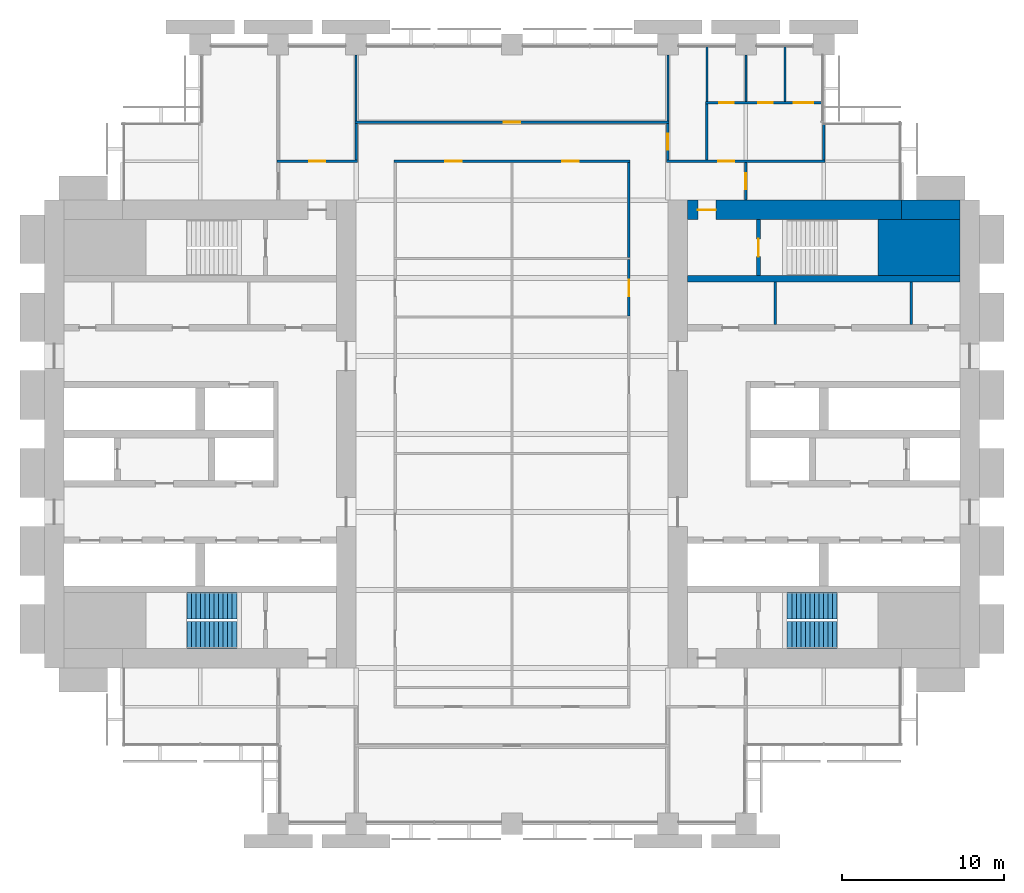
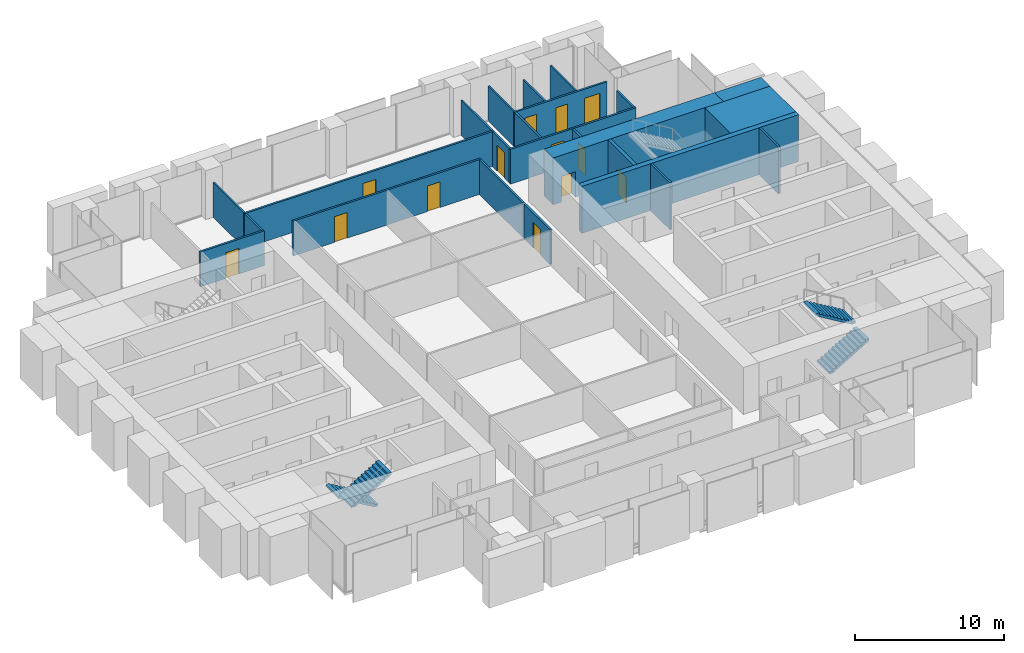
# One storey, part 12 of 14: 24 walls, 13 doors, 4 stair flights, 13 openings, 2 elements without a shape of their own.
"""IFC4 building model written with IfcOpenShell, lengths in metres."""

from ifc_helpers import new_model, si_unit, direction, frame, frame_2d, origin, place, context, subcontext, project, spatial, polyline, rectangle, outline, extrude, material, layer, layer_set, type_object, element, fill, aggregate, save


model = new_model("IFC4")

# Units and contexts
model_context = context("Model", 3, precision=1e-05, world=origin(), true_north=direction((0.0, 1.0)))
body_context = subcontext(model_context, "Body", "Model", "MODEL_VIEW")
ifc_project = project(units=[si_unit("LENGTHUNIT", "METRE"), si_unit("AREAUNIT", "SQUARE_METRE"), si_unit("VOLUMEUNIT", "CUBIC_METRE"), si_unit("PLANEANGLEUNIT", "RADIAN"), si_unit("MASSUNIT", "GRAM", prefix="KILO")], contexts=[model_context])

# Site, building, storey
site_placement = place(None, origin())
site = spatial("IfcSite", under=ifc_project, at=site_placement, CompositionType="ELEMENT")
building_placement = place(site_placement, origin())
building = spatial("IfcBuilding", under=site, at=building_placement, Name="Baori Bourse Tower", CompositionType="ELEMENT")
storey_placement = place(building_placement, frame((0.0, 0.0, 79.0)))
storey = spatial("IfcBuildingStorey", under=building, at=storey_placement, Name="L17", CompositionType="ELEMENT", Elevation=79.0)

# Walls
ifc_material_1 = material(Name="Concrete f'c 70 MPa", Category="concrete")
wall_type_1 = type_object("IfcWallType", Name="Core corner block f'c 70", PredefinedType="SHEAR", material=ifc_material_1)
wall_1_placement = place(storey_placement, frame((51.35009765625, 35.47509765625, 0.0), z_axis=(0.0, 0.0, 1.0), x_axis=(1.0, 0.0, 0.0)))
element("IfcWall", 1, at=wall_1_placement, inside=storey, type_object=wall_type_1, Name="Core wall E21", PredefinedType="SHEAR", context=body_context, shape_type="SweptSolid", body=[
    extrude(rectangle(XDim=5.0498046875, YDim=3.449951171875, at=frame_2d((2.52490234375, 0.0))), origin(), (0.0, 0.0, 1.0), 3.840087890625),
])
ifc_material_2 = material(Name="Blockwork partition", Category="masonry")
ifc_layer_1 = layer(ifc_material_2, 0.14990234375)
ifc_layer_set_1 = layer_set([ifc_layer_1], Name="Core partition 150")
wall_type_2 = type_object("IfcWallType", Name="Core partition 150", PredefinedType="PARTITIONING", material=ifc_layer_set_1)
for number, where, z_axis, x_axis, name in (
    (2, (53.39990234375, 30.75, 0.0), (0.0, 0.0, 1.0), (0.0, 1.0, 0.0), "Partition wall E18"),
    (3, (45.0, 30.75, 0.0), (0.0, 0.0, 1.0), (0.0, 1.0, 0.0), "Partition wall E19"),
):
    element("IfcWall", number, at=place(storey_placement, frame(where, z_axis=z_axis, x_axis=x_axis)), inside=storey, type_object=wall_type_2, Name=name, PredefinedType="PARTITIONING", context=body_context, shape_type="SweptSolid", body=[
        extrude(rectangle(XDim=2.60009765625, YDim=0.14990234375, at=frame_2d((1.300048828125, 0.0))), origin(), (0.0, 0.0, 1.0), 3.840087890625),
    ])
ifc_material_3 = material(Name="Concrete f'c 70 MPa", Category="concrete")
ifc_layer_2 = layer(ifc_material_3, 1.199951171875)
ifc_layer_set_2 = layer_set([ifc_layer_2], Name="Core wall 1200 f'c 70")
wall_type_3 = type_object("IfcWallType", Name="Core wall 1200 f'c 70", PredefinedType="SHEAR", material=ifc_layer_set_2)
wall_2_placement = place(storey_placement, frame((52.800048828125, 37.800048828125, 0.0), z_axis=(0.0, 0.0, 1.0), x_axis=(1.0, 0.0, 0.0)))
element("IfcWall", 4, at=wall_2_placement, inside=storey, type_object=wall_type_3, Name="Core wall E23", PredefinedType="SHEAR", context=body_context, shape_type="SweptSolid", body=[
    extrude(rectangle(XDim=3.599853515625, YDim=1.199951171875, at=frame_2d((1.7998046875, 0.0))), origin(), (0.0, 0.0, 1.0), 3.840087890625),
])

# Wall, opening, door
wall_3_placement = place(storey_placement, frame((39.60009765625, 37.800048828125, 0.0), z_axis=(0.0, 0.0, 1.0), x_axis=(1.0, 0.0, 0.0)))
wall_3 = element("IfcWall", 5, at=wall_3_placement, inside=storey, type_object=wall_type_3, Name="Core wall E24", PredefinedType="SHEAR", context=body_context, shape_type="SweptSolid", body=[
    extrude(rectangle(XDim=13.199951171875, YDim=1.199951171875, at=frame_2d((6.60009765625, 0.0))), origin(), (0.0, 0.0, 1.0), 3.840087890625),
])
opening_1_placement = place(wall_3_placement, frame((0.64990234375, 0.0, 0.0)))
opening_1 = element("IfcOpeningElement", 6, at=opening_1_placement, cuts=wall_3, Name="Opening L17-D204", PredefinedType="OPENING", context=body_context, shape_type="SweptSolid", body=[
    extrude(rectangle(XDim=1.10009765625, YDim=2.10009765625, at=frame_2d((0.550048828125, 1.050048828125))), frame((0.0, 0.60986328125, 0.0), z_axis=(0.0, -1.0, 0.0), x_axis=(1.0, 0.0, 0.0)), (0.0, 0.0, 1.0), 1.219970703125),
])
ifc_material_4 = material(Name="Painted steel door", Category="steel")
door_type_1 = type_object("IfcDoorType", Name="Stair door 1100", OperationType="SINGLE_SWING_LEFT", PredefinedType="DOOR", material=ifc_material_4)
door_1_placement = place(opening_1_placement, origin())
door_1 = element("IfcDoor", 7, at=door_1_placement, inside=storey, type_object=door_type_1, Name="Stair vestibule door B E L17", OperationType="SINGLE_SWING_LEFT", OverallHeight=2.10009765625, OverallWidth=1.10009765625, PredefinedType="DOOR", context=body_context, shape_type="SweptSolid", body=[
    extrude(rectangle(XDim=1.10009765625, YDim=2.10009765625, at=frame_2d((0.550048828125, 1.050048828125))), frame((0.0, 0.02490234375, 0.0), z_axis=(0.0, -1.0, 0.0), x_axis=(1.0, 0.0, 0.0)), (0.0, 0.0, 1.0), 0.050048828125),
])
fill(opening_1, door_1)

ifc_material_5 = material(Name="Gypsum board partition")
ifc_layer_3 = layer(ifc_material_5, 0.14990234375)
ifc_layer_set_3 = layer_set([ifc_layer_3], Name="Corridor partition 150")
wall_type_4 = type_object("IfcWallType", Name="Corridor partition 150", PredefinedType="PARTITIONING", material=ifc_layer_set_3)
wall_4_placement = place(storey_placement, frame((14.324951171875, 40.800048828125, 0.0), z_axis=(0.0, 0.0, 1.0), x_axis=(1.0, 0.0, 0.0)))
wall_4 = element("IfcWall", 8, at=wall_4_placement, inside=storey, type_object=wall_type_4, Name="Partition", PredefinedType="PARTITIONING", context=body_context, shape_type="SweptSolid", body=[
    extrude(rectangle(XDim=4.949951171875, YDim=0.14990234375, at=frame_2d((2.47509765625, 0.0))), origin(), (0.0, 0.0, 1.0), 2.849365234375),
])
opening_2_placement = place(wall_4_placement, frame((1.97509765625, 0.0, 0.0)))
opening_2 = element("IfcOpeningElement", 9, at=opening_2_placement, cuts=wall_4, Name="Opening L17-D06", PredefinedType="OPENING", context=body_context, shape_type="SweptSolid", body=[
    extrude(rectangle(XDim=1.0, YDim=2.10009765625, at=frame_2d((0.5, 1.050048828125))), frame((0.0, 0.0849609375, 0.0), z_axis=(0.0, -1.0, 0.0), x_axis=(1.0, 0.0, 0.0)), (0.0, 0.0, 1.0), 0.169921875),
])
ifc_material_6 = material(Name="Timber door leaf", Category="wood")
door_type_2 = type_object("IfcDoorType", Name="Door 1000 x 2100", OperationType="SINGLE_SWING_LEFT", PredefinedType="DOOR", material=ifc_material_6)
door_2_placement = place(opening_2_placement, origin())
door_2 = element("IfcDoor", 10, at=door_2_placement, inside=storey, type_object=door_type_2, Name="Door", OperationType="SINGLE_SWING_LEFT", OverallHeight=2.10009765625, OverallWidth=1.0, PredefinedType="DOOR", context=body_context, shape_type="SweptSolid", body=[
    extrude(rectangle(XDim=1.0, YDim=2.10009765625, at=frame_2d((0.5, 1.050048828125))), frame((0.0, 0.02490234375, 0.0), z_axis=(0.0, -1.0, 0.0), x_axis=(1.0, 0.0, 0.0)), (0.0, 0.0, 1.0), 0.050048828125),
])
fill(opening_2, door_2)

# Wall, openings, doors
wall_5_placement = place(storey_placement, frame((21.52490234375, 40.800048828125, 0.0), z_axis=(0.0, 0.0, 1.0), x_axis=(1.0, 0.0, 0.0)))
wall_5 = element("IfcWall", 11, at=wall_5_placement, inside=storey, type_object=wall_type_4, Name="Partition", PredefinedType="PARTITIONING", context=body_context, shape_type="SweptSolid", body=[
    extrude(rectangle(XDim=14.550048828125, YDim=0.14990234375, at=frame_2d((7.27490234375, 0.0))), origin(), (0.0, 0.0, 1.0), 2.849365234375),
])
opening_3_placement = place(wall_5_placement, frame((3.175048828125, 0.0, 0.0)))
opening_3 = element("IfcOpeningElement", 12, at=opening_3_placement, cuts=wall_5, Name="Opening L17-D07", PredefinedType="OPENING", context=body_context, shape_type="SweptSolid", body=[
    extrude(rectangle(XDim=1.0, YDim=2.10009765625, at=frame_2d((0.5, 1.050048828125))), frame((0.0, 0.0849609375, 0.0), z_axis=(0.0, -1.0, 0.0), x_axis=(1.0, 0.0, 0.0)), (0.0, 0.0, 1.0), 0.169921875),
])
opening_4_placement = place(wall_5_placement, frame((10.375, 0.0, 0.0)))
opening_4 = element("IfcOpeningElement", 13, at=opening_4_placement, cuts=wall_5, Name="Opening L17-D08", PredefinedType="OPENING", context=body_context, shape_type="SweptSolid", body=[
    extrude(rectangle(XDim=1.0, YDim=2.10009765625, at=frame_2d((0.5, 1.050048828125))), frame((0.0, 0.0849609375, 0.0), z_axis=(0.0, -1.0, 0.0), x_axis=(1.0, 0.0, 0.0)), (0.0, 0.0, 1.0), 0.169921875),
])
door_3_placement = place(opening_3_placement, origin())
door_3 = element("IfcDoor", 14, at=door_3_placement, inside=storey, type_object=door_type_2, Name="Door", OperationType="SINGLE_SWING_LEFT", OverallHeight=2.10009765625, OverallWidth=1.0, PredefinedType="DOOR", context=body_context, shape_type="SweptSolid", body=[
    extrude(rectangle(XDim=1.0, YDim=2.10009765625, at=frame_2d((0.5, 1.050048828125))), frame((0.0, 0.02490234375, 0.0), z_axis=(0.0, -1.0, 0.0), x_axis=(1.0, 0.0, 0.0)), (0.0, 0.0, 1.0), 0.050048828125),
])
fill(opening_3, door_3)
door_4_placement = place(opening_4_placement, origin())
door_4 = element("IfcDoor", 15, at=door_4_placement, inside=storey, type_object=door_type_2, Name="Door", OperationType="SINGLE_SWING_RIGHT", OverallHeight=2.10009765625, OverallWidth=1.0, PredefinedType="DOOR", context=body_context, shape_type="SweptSolid", body=[
    extrude(rectangle(XDim=1.0, YDim=2.10009765625, at=frame_2d((0.5, 1.050048828125))), frame((0.0, 0.02490234375, 0.0), z_axis=(0.0, -1.0, 0.0), x_axis=(1.0, 0.0, 0.0)), (0.0, 0.0, 1.0), 0.050048828125),
])
fill(opening_4, door_4)

# Wall, opening, door
wall_6_placement = place(storey_placement, frame((38.324951171875, 40.800048828125, 0.0), z_axis=(0.0, 0.0, 1.0), x_axis=(1.0, 0.0, 0.0)))
wall_6 = element("IfcWall", 16, at=wall_6_placement, inside=storey, type_object=wall_type_4, Name="Partition", PredefinedType="PARTITIONING", context=body_context, shape_type="SweptSolid", body=[
    extrude(rectangle(XDim=9.75, YDim=0.14990234375, at=frame_2d((4.875, 0.0))), origin(), (0.0, 0.0, 1.0), 2.849365234375),
])
opening_5_placement = place(wall_6_placement, frame((3.175048828125, 0.0, 0.0)))
opening_5 = element("IfcOpeningElement", 17, at=opening_5_placement, cuts=wall_6, Name="Opening L17-D09", PredefinedType="OPENING", context=body_context, shape_type="SweptSolid", body=[
    extrude(rectangle(XDim=1.0, YDim=2.10009765625, at=frame_2d((0.5, 1.050048828125))), frame((0.0, 0.0849609375, 0.0), z_axis=(0.0, -1.0, 0.0), x_axis=(1.0, 0.0, 0.0)), (0.0, 0.0, 1.0), 0.169921875),
])
door_5_placement = place(opening_5_placement, origin())
door_5 = element("IfcDoor", 18, at=door_5_placement, inside=storey, type_object=door_type_2, Name="Door", OperationType="SINGLE_SWING_LEFT", OverallHeight=2.10009765625, OverallWidth=1.0, PredefinedType="DOOR", context=body_context, shape_type="SweptSolid", body=[
    extrude(rectangle(XDim=1.0, YDim=2.10009765625, at=frame_2d((0.5, 1.050048828125))), frame((0.0, 0.02490234375, 0.0), z_axis=(0.0, -1.0, 0.0), x_axis=(1.0, 0.0, 0.0)), (0.0, 0.0, 1.0), 0.050048828125),
])
fill(opening_5, door_5)

wall_7_placement = place(storey_placement, frame((19.125, 43.199951171875, 0.0), z_axis=(0.0, 0.0, 1.0), x_axis=(1.0, 0.0, 0.0)))
wall_7 = element("IfcWall", 19, at=wall_7_placement, inside=storey, type_object=wall_type_4, Name="Partition", PredefinedType="PARTITIONING", context=body_context, shape_type="SweptSolid", body=[
    extrude(rectangle(XDim=19.35009765625, YDim=0.14990234375, at=frame_2d((9.675048828125, 0.0))), origin(), (0.0, 0.0, 1.0), 2.849365234375),
])
opening_6_placement = place(wall_7_placement, frame((9.175048828125, 0.0, 0.0)))
opening_6 = element("IfcOpeningElement", 20, at=opening_6_placement, cuts=wall_7, Name="Opening L17-D10", PredefinedType="OPENING", context=body_context, shape_type="SweptSolid", body=[
    extrude(rectangle(XDim=1.0, YDim=2.10009765625, at=frame_2d((0.5, 1.050048828125))), frame((0.0, 0.0849609375, 0.0), z_axis=(0.0, -1.0, 0.0), x_axis=(1.0, 0.0, 0.0)), (0.0, 0.0, 1.0), 0.169921875),
])
door_6_placement = place(opening_6_placement, origin())
door_6 = element("IfcDoor", 21, at=door_6_placement, inside=storey, type_object=door_type_2, Name="Door", OperationType="SINGLE_SWING_RIGHT", OverallHeight=2.10009765625, OverallWidth=1.0, PredefinedType="DOOR", context=body_context, shape_type="SweptSolid", body=[
    extrude(rectangle(XDim=1.0, YDim=2.10009765625, at=frame_2d((0.5, 1.050048828125))), frame((0.0, 0.02490234375, 0.0), z_axis=(0.0, -1.0, 0.0), x_axis=(1.0, 0.0, 0.0)), (0.0, 0.0, 1.0), 0.050048828125),
])
fill(opening_6, door_6)

# Wall, openings, doors
wall_8_placement = place(storey_placement, frame((40.72509765625, 44.39990234375, 0.0), z_axis=(0.0, 0.0, 1.0), x_axis=(1.0, 0.0, 0.0)))
wall_8 = element("IfcWall", 22, at=wall_8_placement, inside=storey, type_object=wall_type_4, Name="Partition", PredefinedType="PARTITIONING", context=body_context, shape_type="SweptSolid", body=[
    extrude(rectangle(XDim=7.1748046875, YDim=0.14990234375, at=frame_2d((3.58740234375, 0.0))), origin(), (0.0, 0.0, 1.0), 2.849365234375),
])
opening_7_placement = place(wall_8_placement, frame((0.824951171875, 0.0, 0.0)))
opening_7 = element("IfcOpeningElement", 23, at=opening_7_placement, cuts=wall_8, Name="Opening L17-D11", PredefinedType="OPENING", context=body_context, shape_type="SweptSolid", body=[
    extrude(rectangle(XDim=0.89990234375, YDim=2.10009765625, at=frame_2d((0.449951171875, 1.050048828125))), frame((0.0, 0.0849609375, 0.0), z_axis=(0.0, -1.0, 0.0), x_axis=(1.0, 0.0, 0.0)), (0.0, 0.0, 1.0), 0.169921875),
])
opening_8_placement = place(wall_8_placement, frame((3.22509765625, 0.0, 0.0)))
opening_8 = element("IfcOpeningElement", 24, at=opening_8_placement, cuts=wall_8, Name="Opening L17-D12", PredefinedType="OPENING", context=body_context, shape_type="SweptSolid", body=[
    extrude(rectangle(XDim=0.89990234375, YDim=2.10009765625, at=frame_2d((0.449951171875, 1.050048828125))), frame((0.0, 0.0849609375, 0.0), z_axis=(0.0, -1.0, 0.0), x_axis=(1.0, 0.0, 0.0)), (0.0, 0.0, 1.0), 0.169921875),
])
opening_9_placement = place(wall_8_placement, frame((5.425048828125, 0.0, 0.0)))
opening_9 = element("IfcOpeningElement", 25, at=opening_9_placement, cuts=wall_8, Name="Opening L17-D13", PredefinedType="OPENING", context=body_context, shape_type="SweptSolid", body=[
    extrude(rectangle(XDim=1.199951171875, YDim=2.10009765625, at=frame_2d((0.60009765625, 1.050048828125))), frame((0.0, 0.0849609375, 0.0), z_axis=(0.0, -1.0, 0.0), x_axis=(1.0, 0.0, 0.0)), (0.0, 0.0, 1.0), 0.169921875),
])
ifc_material_7 = material(Name="Timber door leaf", Category="wood")
door_type_3 = type_object("IfcDoorType", Name="Door 1200 x 2100", OperationType="SINGLE_SWING_LEFT", PredefinedType="DOOR", material=ifc_material_7)
door_7_placement = place(opening_9_placement, origin())
door_7 = element("IfcDoor", 26, at=door_7_placement, inside=storey, type_object=door_type_3, Name="Door", OperationType="SINGLE_SWING_LEFT", OverallHeight=2.10009765625, OverallWidth=1.199951171875, PredefinedType="DOOR", context=body_context, shape_type="SweptSolid", body=[
    extrude(rectangle(XDim=1.199951171875, YDim=2.10009765625, at=frame_2d((0.60009765625, 1.050048828125))), frame((0.0, 0.02490234375, 0.0), z_axis=(0.0, -1.0, 0.0), x_axis=(1.0, 0.0, 0.0)), (0.0, 0.0, 1.0), 0.050048828125),
])
fill(opening_9, door_7)
ifc_material_8 = material(Name="Timber door leaf", Category="wood")
door_type_4 = type_object("IfcDoorType", Name="Door 900 x 2100", OperationType="SINGLE_SWING_LEFT", PredefinedType="DOOR", material=ifc_material_8)
door_8_placement = place(opening_7_placement, origin())
door_8 = element("IfcDoor", 27, at=door_8_placement, inside=storey, type_object=door_type_4, Name="Door", OperationType="SINGLE_SWING_RIGHT", OverallHeight=2.10009765625, OverallWidth=0.89990234375, PredefinedType="DOOR", context=body_context, shape_type="SweptSolid", body=[
    extrude(rectangle(XDim=0.89990234375, YDim=2.10009765625, at=frame_2d((0.449951171875, 1.050048828125))), frame((0.0, 0.02490234375, 0.0), z_axis=(0.0, -1.0, 0.0), x_axis=(1.0, 0.0, 0.0)), (0.0, 0.0, 1.0), 0.050048828125),
])
fill(opening_7, door_8)
door_9_placement = place(opening_8_placement, origin())
door_9 = element("IfcDoor", 28, at=door_9_placement, inside=storey, type_object=door_type_4, Name="Door", OperationType="SINGLE_SWING_LEFT", OverallHeight=2.10009765625, OverallWidth=0.89990234375, PredefinedType="DOOR", context=body_context, shape_type="SweptSolid", body=[
    extrude(rectangle(XDim=0.89990234375, YDim=2.10009765625, at=frame_2d((0.449951171875, 1.050048828125))), frame((0.0, 0.02490234375, 0.0), z_axis=(0.0, -1.0, 0.0), x_axis=(1.0, 0.0, 0.0)), (0.0, 0.0, 1.0), 0.050048828125),
])
fill(opening_8, door_9)

# Wall
wall_9_placement = place(storey_placement, frame((19.199951171875, 40.875, 0.0), z_axis=(0.0, 0.0, 1.0), x_axis=(0.0, 1.0, 0.0)))
element("IfcWall", 29, at=wall_9_placement, inside=storey, type_object=wall_type_4, Name="Partition", PredefinedType="PARTITIONING", context=body_context, shape_type="SweptSolid", body=[
    extrude(rectangle(XDim=2.25, YDim=0.14990234375, at=frame_2d((1.125, 0.0))), origin(), (0.0, 0.0, 1.0), 2.849365234375),
])

# Wall, opening, door
wall_10_placement = place(storey_placement, frame((36.0, 31.262451171875, 0.0), z_axis=(0.0, 0.0, 1.0), x_axis=(0.0, 1.0, 0.0)))
wall_10 = element("IfcWall", 30, at=wall_10_placement, inside=storey, type_object=wall_type_4, Name="Partition", PredefinedType="PARTITIONING", context=body_context, shape_type="SweptSolid", body=[
    extrude(rectangle(XDim=3.47509765625, YDim=0.14990234375, at=frame_2d((1.737548828125, 0.0))), origin(), (0.0, 0.0, 1.0), 2.849365234375),
])
opening_10_placement = place(wall_10_placement, frame((1.237548828125, 0.0, 0.0)))
opening_10 = element("IfcOpeningElement", 31, at=opening_10_placement, cuts=wall_10, Name="Opening L17-D23", PredefinedType="OPENING", context=body_context, shape_type="SweptSolid", body=[
    extrude(rectangle(XDim=1.0, YDim=2.10009765625, at=frame_2d((0.5, 1.050048828125))), frame((0.0, 0.0849609375, 0.0), z_axis=(0.0, -1.0, 0.0), x_axis=(1.0, 0.0, 0.0)), (0.0, 0.0, 1.0), 0.169921875),
])
door_10_placement = place(opening_10_placement, origin())
door_10 = element("IfcDoor", 32, at=door_10_placement, inside=storey, type_object=door_type_2, Name="Door", OperationType="SINGLE_SWING_LEFT", OverallHeight=2.10009765625, OverallWidth=1.0, PredefinedType="DOOR", context=body_context, shape_type="SweptSolid", body=[
    extrude(rectangle(XDim=1.0, YDim=2.10009765625, at=frame_2d((0.5, 1.050048828125))), frame((0.0, 0.02490234375, 0.0), z_axis=(0.0, -1.0, 0.0), x_axis=(1.0, 0.0, 0.0)), (0.0, 0.0, 1.0), 0.050048828125),
])
fill(opening_10, door_10)

# Wall
wall_11_placement = place(storey_placement, frame((36.0, 34.862548828125, 0.0), z_axis=(0.0, 0.0, 1.0), x_axis=(0.0, 1.0, 0.0)))
element("IfcWall", 33, at=wall_11_placement, inside=storey, type_object=wall_type_4, Name="Partition", PredefinedType="PARTITIONING", context=body_context, shape_type="SweptSolid", body=[
    extrude(rectangle(XDim=5.862548828125, YDim=0.14990234375, at=frame_2d((2.93115234375, 0.0))), origin(), (0.0, 0.0, 1.0), 2.849365234375),
])

# Wall, opening, door
wall_12_placement = place(storey_placement, frame((38.39990234375, 40.875, 0.0), z_axis=(0.0, 0.0, 1.0), x_axis=(0.0, 1.0, 0.0)))
wall_12 = element("IfcWall", 34, at=wall_12_placement, inside=storey, type_object=wall_type_4, Name="Partition", PredefinedType="PARTITIONING", context=body_context, shape_type="SweptSolid", body=[
    extrude(rectangle(XDim=2.25, YDim=0.14990234375, at=frame_2d((1.125, 0.0))), origin(), (0.0, 0.0, 1.0), 2.849365234375),
])
opening_11_placement = place(wall_12_placement, frame((0.625, 0.0, 0.0)))
opening_11 = element("IfcOpeningElement", 35, at=opening_11_placement, cuts=wall_12, Name="Opening L17-D24", PredefinedType="OPENING", context=body_context, shape_type="SweptSolid", body=[
    extrude(rectangle(XDim=1.0, YDim=2.10009765625, at=frame_2d((0.5, 1.050048828125))), frame((0.0, 0.0849609375, 0.0), z_axis=(0.0, -1.0, 0.0), x_axis=(1.0, 0.0, 0.0)), (0.0, 0.0, 1.0), 0.169921875),
])
door_11_placement = place(opening_11_placement, origin())
door_11 = element("IfcDoor", 36, at=door_11_placement, inside=storey, type_object=door_type_2, Name="Door", OperationType="SINGLE_SWING_LEFT", OverallHeight=2.10009765625, OverallWidth=1.0, PredefinedType="DOOR", context=body_context, shape_type="SweptSolid", body=[
    extrude(rectangle(XDim=1.0, YDim=2.10009765625, at=frame_2d((0.5, 1.050048828125))), frame((0.0, 0.02490234375, 0.0), z_axis=(0.0, -1.0, 0.0), x_axis=(1.0, 0.0, 0.0)), (0.0, 0.0, 1.0), 0.050048828125),
])
fill(opening_11, door_11)

# Wall
wall_13_placement = place(storey_placement, frame((40.800048828125, 40.875, 0.0), z_axis=(0.0, 0.0, 1.0), x_axis=(0.0, 1.0, 0.0)))
element("IfcWall", 37, at=wall_13_placement, inside=storey, type_object=wall_type_4, Name="Partition", PredefinedType="PARTITIONING", context=body_context, shape_type="SweptSolid", body=[
    extrude(rectangle(XDim=3.449951171875, YDim=0.14990234375, at=frame_2d((1.72509765625, 0.0))), origin(), (0.0, 0.0, 1.0), 2.849365234375),
])

# Wall, opening, door
wall_14_placement = place(storey_placement, frame((43.199951171875, 38.39990234375, 0.0), z_axis=(0.0, 0.0, 1.0), x_axis=(0.0, 1.0, 0.0)))
wall_14 = element("IfcWall", 38, at=wall_14_placement, inside=storey, type_object=wall_type_4, Name="Partition", PredefinedType="PARTITIONING", context=body_context, shape_type="SweptSolid", body=[
    extrude(rectangle(XDim=2.3251953125, YDim=0.14990234375, at=frame_2d((1.16259765625, 0.0))), origin(), (0.0, 0.0, 1.0), 2.849365234375),
])
opening_12_placement = place(wall_14_placement, frame((0.66259765625, 0.0, 0.0)))
opening_12 = element("IfcOpeningElement", 39, at=opening_12_placement, cuts=wall_14, Name="Opening L17-D26", PredefinedType="OPENING", context=body_context, shape_type="SweptSolid", body=[
    extrude(rectangle(XDim=1.0, YDim=2.10009765625, at=frame_2d((0.5, 1.050048828125))), frame((0.0, 0.0849609375, 0.0), z_axis=(0.0, -1.0, 0.0), x_axis=(1.0, 0.0, 0.0)), (0.0, 0.0, 1.0), 0.169921875),
])
door_12_placement = place(opening_12_placement, origin())
door_12 = element("IfcDoor", 40, at=door_12_placement, inside=storey, type_object=door_type_2, Name="Door", OperationType="SINGLE_SWING_LEFT", OverallHeight=2.10009765625, OverallWidth=1.0, PredefinedType="DOOR", context=body_context, shape_type="SweptSolid", body=[
    extrude(rectangle(XDim=1.0, YDim=2.10009765625, at=frame_2d((0.5, 1.050048828125))), frame((0.0, 0.02490234375, 0.0), z_axis=(0.0, -1.0, 0.0), x_axis=(1.0, 0.0, 0.0)), (0.0, 0.0, 1.0), 0.050048828125),
])
fill(opening_12, door_12)

# Walls
wall_15_placement = place(storey_placement, frame((48.0, 40.875, 0.0), z_axis=(0.0, 0.0, 1.0), x_axis=(0.0, 1.0, 0.0)))
element("IfcWall", 41, at=wall_15_placement, inside=storey, type_object=wall_type_4, Name="Partition", PredefinedType="PARTITIONING", context=body_context, shape_type="SweptSolid", body=[
    extrude(rectangle(XDim=2.22509765625, YDim=0.14990234375, at=frame_2d((1.112548828125, 0.0))), origin(), (0.0, 0.0, 1.0), 2.849365234375),
])
ifc_material_9 = material(Name="Gypsum board partition")
ifc_layer_4 = layer(ifc_material_9, 0.125)
ifc_layer_set_4 = layer_set([ifc_layer_4], Name="Partition 125")
wall_type_5 = type_object("IfcWallType", Name="Partition 125", PredefinedType="PARTITIONING", material=ifc_layer_set_4)
for number, where, z_axis, x_axis, name in (
    (42, (19.199951171875, 43.27490234375, 0.0), (0.0, 0.0, 1.0), (0.0, 1.0, 0.0), "Partition"),
    (43, (38.39990234375, 43.27490234375, 0.0), (0.0, 0.0, 1.0), (0.0, 1.0, 0.0), "Partition"),
):
    element("IfcWall", number, at=place(storey_placement, frame(where, z_axis=z_axis, x_axis=x_axis)), inside=storey, type_object=wall_type_5, Name=name, PredefinedType="PARTITIONING", context=body_context, shape_type="SweptSolid", body=[
        extrude(rectangle(XDim=4.0751953125, YDim=0.125, at=frame_2d((2.03759765625, 0.0))), origin(), (0.0, 0.0, 1.0), 2.849365234375),
    ])
wall_16_placement = place(storey_placement, frame((40.800048828125, 44.47509765625, 0.0), z_axis=(0.0, 0.0, 1.0), x_axis=(0.0, 1.0, 0.0)))
element("IfcWall", 44, at=wall_16_placement, inside=storey, type_object=wall_type_5, Name="Partition", PredefinedType="PARTITIONING", context=body_context, shape_type="SweptSolid", body=[
    extrude(rectangle(XDim=3.4248046875, YDim=0.125, at=frame_2d((1.71240234375, 0.0))), origin(), (0.0, 0.0, 1.0), 2.849365234375),
])
wall_17_placement = place(storey_placement, frame((43.199951171875, 44.47509765625, 0.0), z_axis=(0.0, 0.0, 1.0), x_axis=(0.0, 1.0, 0.0)))
element("IfcWall", 45, at=wall_17_placement, inside=storey, type_object=wall_type_5, Name="Partition", PredefinedType="PARTITIONING", context=body_context, shape_type="SweptSolid", body=[
    extrude(rectangle(XDim=2.875, YDim=0.125, at=frame_2d((1.4375, 0.0))), origin(), (0.0, 0.0, 1.0), 2.849365234375),
])
wall_18_placement = place(storey_placement, frame((45.60009765625, 44.47509765625, 0.0), z_axis=(0.0, 0.0, 1.0), x_axis=(0.0, 1.0, 0.0)))
element("IfcWall", 46, at=wall_18_placement, inside=storey, type_object=wall_type_5, Name="Partition", PredefinedType="PARTITIONING", context=body_context, shape_type="SweptSolid", body=[
    extrude(rectangle(XDim=3.4248046875, YDim=0.125, at=frame_2d((1.71240234375, 0.0))), origin(), (0.0, 0.0, 1.0), 2.849365234375),
])

# Wall, opening, door
ifc_material_10 = material(Name="Concrete f'c 70 MPa", Category="concrete")
ifc_layer_5 = layer(ifc_material_10, 0.25)
ifc_layer_set_5 = layer_set([ifc_layer_5], Name="Shaft wall 250 f'c 70")
wall_type_6 = type_object("IfcWallType", Name="Shaft wall 250 f'c 70", PredefinedType="SHEAR", material=ifc_layer_set_5)
wall_19_placement = place(storey_placement, frame((43.97509765625, 33.75, 0.0), z_axis=(0.0, 0.0, 1.0), x_axis=(0.0, 1.0, 0.0)))
wall_19 = element("IfcWall", 47, at=wall_19_placement, inside=storey, type_object=wall_type_6, Name="Core wall E22", PredefinedType="SHEAR", context=body_context, shape_type="SweptSolid", body=[
    extrude(rectangle(XDim=3.449951171875, YDim=0.25, at=frame_2d((1.72509765625, 0.0))), origin(), (0.0, 0.0, 1.0), 3.840087890625),
])
opening_13_placement = place(wall_19_placement, frame((1.175048828125, 0.0, 0.0)))
opening_13 = element("IfcOpeningElement", 48, at=opening_13_placement, cuts=wall_19, Name="Opening L17-D203", PredefinedType="OPENING", context=body_context, shape_type="SweptSolid", body=[
    extrude(rectangle(XDim=1.10009765625, YDim=2.10009765625, at=frame_2d((0.550048828125, 1.050048828125))), frame((0.0, 0.135009765625, 0.0), z_axis=(0.0, -1.0, 0.0), x_axis=(1.0, 0.0, 0.0)), (0.0, 0.0, 1.0), 0.27001953125),
])
door_13_placement = place(opening_13_placement, origin())
door_13 = element("IfcDoor", 49, at=door_13_placement, inside=storey, type_object=door_type_1, Name="Stair door B E L17", OperationType="SINGLE_SWING_LEFT", OverallHeight=2.10009765625, OverallWidth=1.10009765625, PredefinedType="DOOR", context=body_context, shape_type="SweptSolid", body=[
    extrude(rectangle(XDim=1.10009765625, YDim=2.10009765625, at=frame_2d((0.550048828125, 1.050048828125))), frame((0.0, 0.02490234375, 0.0), z_axis=(0.0, -1.0, 0.0), x_axis=(1.0, 0.0, 0.0)), (0.0, 0.0, 1.0), 0.050048828125),
])
fill(opening_13, door_13)

# Wall
ifc_material_11 = material(Name="Concrete f'c 70 MPa", Category="concrete")
ifc_layer_6 = layer(ifc_material_11, 0.39990234375)
ifc_layer_set_6 = layer_set([ifc_layer_6], Name="Shaft wall 400 f'c 70")
wall_type_7 = type_object("IfcWallType", Name="Shaft wall 400 f'c 70", PredefinedType="SHEAR", material=ifc_layer_set_6)
wall_20_placement = place(storey_placement, frame((39.60009765625, 33.550048828125, 0.0), z_axis=(0.0, 0.0, 1.0), x_axis=(1.0, 0.0, 0.0)))
element("IfcWall", 50, at=wall_20_placement, inside=storey, type_object=wall_type_7, Name="Core wall E20", PredefinedType="SHEAR", context=body_context, shape_type="SweptSolid", body=[
    extrude(rectangle(XDim=16.7998046875, YDim=0.39990234375, at=frame_2d((8.39990234375, 0.0))), origin(), (0.0, 0.0, 1.0), 3.840087890625),
])

# Stair, stair flights
ifc_material_12 = material(Name="Concrete f'c 50 MPa", Category="concrete")
stair_type = type_object("IfcStairType", Name="Core stair", PredefinedType="HALF_TURN_STAIR", material=ifc_material_12)
stair_1_placement = place(storey_placement, origin())
stair_1 = element("IfcStair", 51, at=stair_1_placement, inside=storey, type_object=stair_type, Name="L17 Stair WA", PredefinedType="HALF_TURN_STAIR")
ifc_material_13 = material(Name="Concrete f'c 50 MPa", Category="concrete")
stair_flight_type = type_object("IfcStairFlightType", Name="Core stair flight", PredefinedType="STRAIGHT", material=ifc_material_13)
stair_flight_1_placement = place(storey_placement, frame((11.85009765625, 13.425048828125, 0.0), z_axis=(0.0, 0.0, 1.0), x_axis=(-1.0, 0.0, 0.0)))
stair_flight_1 = element("IfcStairFlight", 52, at=stair_flight_1_placement, type_object=stair_flight_type, Name="ST1 flight 1", NumberOfRisers=12, NumberOfTreads=11, PredefinedType="STRAIGHT", RiserHeight=0.166666667, TreadLength=0.28, context=body_context, shape_type="SweptSolid", body=[
    extrude(outline(polyline([(0.0, 0.0), (0.0, 0.166748046875), (0.280029296875, 0.166748046875), (0.280029296875, 0.333251953125), (0.56005859375, 0.333251953125), (0.56005859375, 0.5), (0.840087890625, 0.5), (0.840087890625, 0.666748046875), (1.1201171875, 0.666748046875), (1.1201171875, 0.833251953125), (1.39990234375, 0.833251953125), (1.39990234375, 1.0), (1.679931640625, 1.0), (1.679931640625, 1.166748046875), (1.9599609375, 1.166748046875), (1.9599609375, 1.333251953125), (2.239990234375, 1.333251953125), (2.239990234375, 1.5), (2.52001953125, 1.5), (2.52001953125, 1.666748046875), (2.800048828125, 1.666748046875), (2.800048828125, 1.833251953125), (3.080078125, 1.833251953125), (3.080078125, 2.0), (3.080078125, 1.658935546875), (0.29296875, 0.0), (0.0, 0.0)])), frame((0.0, 0.824951171875, 0.0), z_axis=(0.0, -1.0, 0.0), x_axis=(1.0, 0.0, 0.0)), (0.0, 0.0, 1.0), 1.64990234375),
])
stair_flight_2_placement = place(storey_placement, frame((8.77001953125, 11.625, 2.0), z_axis=(0.0, 0.0, 1.0), x_axis=(1.0, 0.0, 0.0)))
stair_flight_2 = element("IfcStairFlight", 53, at=stair_flight_2_placement, type_object=stair_flight_type, Name="ST1 flight 2", NumberOfRisers=12, NumberOfTreads=11, PredefinedType="STRAIGHT", RiserHeight=0.166666667, TreadLength=0.28, context=body_context, shape_type="SweptSolid", body=[
    extrude(outline(polyline([(0.0, 0.0), (0.0, 0.166748046875), (0.280029296875, 0.166748046875), (0.280029296875, 0.333251953125), (0.56005859375, 0.333251953125), (0.56005859375, 0.5), (0.840087890625, 0.5), (0.840087890625, 0.666748046875), (1.1201171875, 0.666748046875), (1.1201171875, 0.833251953125), (1.39990234375, 0.833251953125), (1.39990234375, 1.0), (1.679931640625, 1.0), (1.679931640625, 1.166748046875), (1.9599609375, 1.166748046875), (1.9599609375, 1.333251953125), (2.239990234375, 1.333251953125), (2.239990234375, 1.5), (2.52001953125, 1.5), (2.52001953125, 1.666748046875), (2.800048828125, 1.666748046875), (2.800048828125, 1.833251953125), (3.080078125, 1.833251953125), (3.080078125, 2.0), (3.080078125, 1.658935546875), (0.29296875, 0.0), (0.0, 0.0)])), frame((0.0, 0.824951171875, 0.0), z_axis=(0.0, -1.0, 0.0), x_axis=(1.0, 0.0, 0.0)), (0.0, 0.0, 1.0), 1.64990234375),
])
aggregate(stair_1, [stair_flight_1, stair_flight_2])

stair_2_placement = place(storey_placement, origin())
stair_2 = element("IfcStair", 54, at=stair_2_placement, inside=storey, type_object=stair_type, Name="L17 Stair EA", PredefinedType="HALF_TURN_STAIR")
stair_flight_3_placement = place(storey_placement, frame((45.75, 11.625, 0.0), z_axis=(0.0, 0.0, 1.0), x_axis=(1.0, 0.0, 0.0)))
stair_flight_3 = element("IfcStairFlight", 55, at=stair_flight_3_placement, type_object=stair_flight_type, Name="ST3 flight 1", NumberOfRisers=12, NumberOfTreads=11, PredefinedType="STRAIGHT", RiserHeight=0.166666667, TreadLength=0.28, context=body_context, shape_type="SweptSolid", body=[
    extrude(outline(polyline([(0.0, 0.0), (0.0, 0.166748046875), (0.280029296875, 0.166748046875), (0.280029296875, 0.333251953125), (0.56005859375, 0.333251953125), (0.56005859375, 0.5), (0.840087890625, 0.5), (0.840087890625, 0.666748046875), (1.1201171875, 0.666748046875), (1.1201171875, 0.833251953125), (1.39990234375, 0.833251953125), (1.39990234375, 1.0), (1.679931640625, 1.0), (1.679931640625, 1.166748046875), (1.9599609375, 1.166748046875), (1.9599609375, 1.333251953125), (2.239990234375, 1.333251953125), (2.239990234375, 1.5), (2.52001953125, 1.5), (2.52001953125, 1.666748046875), (2.800048828125, 1.666748046875), (2.800048828125, 1.833251953125), (3.080078125, 1.833251953125), (3.080078125, 2.0), (3.080078125, 1.658935546875), (0.29296875, 0.0), (0.0, 0.0)])), frame((0.0, 0.824951171875, 0.0), z_axis=(0.0, -1.0, 0.0), x_axis=(1.0, 0.0, 0.0)), (0.0, 0.0, 1.0), 1.64990234375),
])
stair_flight_4_placement = place(storey_placement, frame((48.830078125, 13.425048828125, 2.0), z_axis=(0.0, 0.0, 1.0), x_axis=(-1.0, 0.0, 0.0)))
stair_flight_4 = element("IfcStairFlight", 56, at=stair_flight_4_placement, type_object=stair_flight_type, Name="ST3 flight 2", NumberOfRisers=12, NumberOfTreads=11, PredefinedType="STRAIGHT", RiserHeight=0.166666667, TreadLength=0.28, context=body_context, shape_type="SweptSolid", body=[
    extrude(outline(polyline([(0.0, 0.0), (0.0, 0.166748046875), (0.280029296875, 0.166748046875), (0.280029296875, 0.333251953125), (0.56005859375, 0.333251953125), (0.56005859375, 0.5), (0.840087890625, 0.5), (0.840087890625, 0.666748046875), (1.1201171875, 0.666748046875), (1.1201171875, 0.833251953125), (1.39990234375, 0.833251953125), (1.39990234375, 1.0), (1.679931640625, 1.0), (1.679931640625, 1.166748046875), (1.9599609375, 1.166748046875), (1.9599609375, 1.333251953125), (2.239990234375, 1.333251953125), (2.239990234375, 1.5), (2.52001953125, 1.5), (2.52001953125, 1.666748046875), (2.800048828125, 1.666748046875), (2.800048828125, 1.833251953125), (3.080078125, 1.833251953125), (3.080078125, 2.0), (3.080078125, 1.658935546875), (0.29296875, 0.0), (0.0, 0.0)])), frame((0.0, 0.824951171875, 0.0), z_axis=(0.0, -1.0, 0.0), x_axis=(1.0, 0.0, 0.0)), (0.0, 0.0, 1.0), 1.64990234375),
])
aggregate(stair_2, [stair_flight_3, stair_flight_4])

save(model, "model.ifc")
